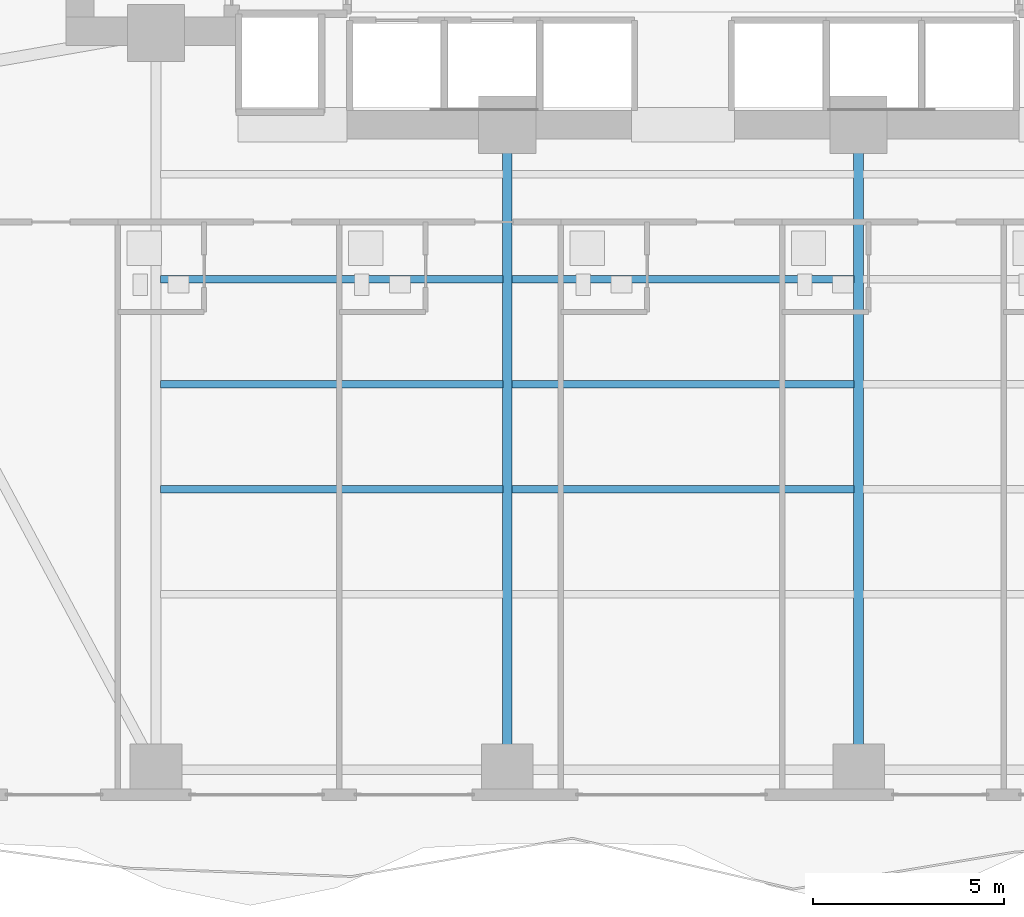
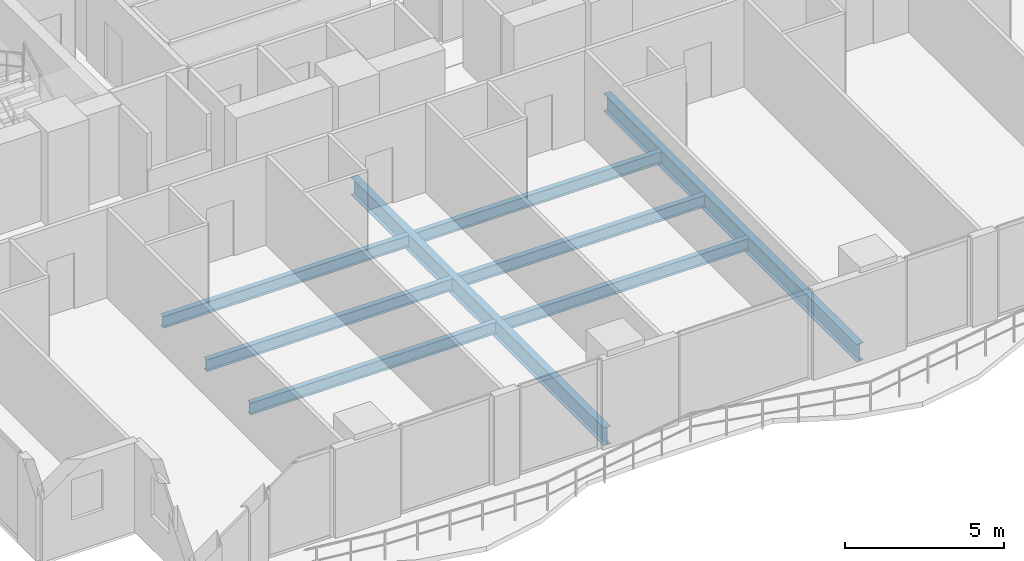
# One storey, part 6 of 29: 8 beams.
"""IFC4 building model written with IfcOpenShell, lengths in metres."""

from ifc_helpers import new_model, si_unit, direction, frame, origin, origin_2d, place, context, subcontext, project, spatial, i_section, extrude, material, material_profile, profile_set, type_object, element, save


model = new_model("IFC4")

# Units and contexts
model_context = context("Model", 3, precision=1e-05, world=origin(), true_north=direction((0.0, 1.0)))
body_context = subcontext(model_context, "Body", "Model", "MODEL_VIEW")
ifc_project = project(units=[si_unit("LENGTHUNIT", "METRE"), si_unit("AREAUNIT", "SQUARE_METRE"), si_unit("VOLUMEUNIT", "CUBIC_METRE"), si_unit("PLANEANGLEUNIT", "RADIAN"), si_unit("MASSUNIT", "GRAM", prefix="KILO")], contexts=[model_context])

# Site, building, storey
site_placement = place(None, origin())
site = spatial("IfcSite", under=ifc_project, at=site_placement, CompositionType="ELEMENT")
building_placement = place(site_placement, origin())
building = spatial("IfcBuilding", under=site, at=building_placement, Name="Zuhayl Quay Hotel", CompositionType="ELEMENT")
storey_placement = place(building_placement, frame((0.0, 0.0, 150.39990234375)))
storey = spatial("IfcBuildingStorey", under=building, at=storey_placement, Name="L38", CompositionType="ELEMENT", Elevation=150.39990234375)

# Beams
ifc_material = material(Name="Steel ASTM A992 Grade 50", Category="steel")
ifc_material_profile_1 = material_profile(ifc_material, i_section(OverallWidth=0.25390625, OverallDepth=0.68310546875, WebThickness=0.012451171875, FlangeThickness=0.018798828125, at=origin_2d()), Name="W27X94")
ifc_profile_set_1 = profile_set([ifc_material_profile_1], Name="Steel ASTM A992 Grade 50")
beam_type_1 = type_object("IfcBeamType", Name="BM_B2_W27X94", PredefinedType="BEAM", material=ifc_profile_set_1)
for number, where, z_axis, x_axis, name in (
    (1, (-4.60009765625, -14.25, -0.5615234375), (0.0, 1.0, 0.0), (-1.0, 0.0, 0.0), "L38 Floor Beam FG_S_L38_2"),
    (2, (4.60009765625, -14.25, -0.5615234375), (0.0, 1.0, 0.0), (-1.0, 0.0, 0.0), "L38 Floor Beam FG_S_L38_3"),
):
    element("IfcBeam", number, at=place(storey_placement, frame(where, z_axis=z_axis, x_axis=x_axis)), inside=storey, type_object=beam_type_1, Name=name, PredefinedType="BEAM", context=body_context, shape_type="SweptSolid", body=[
        extrude(i_section(OverallWidth=0.25390625, OverallDepth=0.68310546875, WebThickness=0.012451171875, FlangeThickness=0.018798828125, at=origin_2d()), origin(), (0.0, 0.0, 1.0), 15.949951171875),
    ])
ifc_material_profile_2 = material_profile(ifc_material, i_section(OverallWidth=0.18994140625, OverallDepth=0.45703125, WebThickness=0.009033203125, FlangeThickness=0.014404296875, at=origin_2d()), Name="W18X50")
ifc_profile_set_2 = profile_set([ifc_material_profile_2], Name="Steel ASTM A992 Grade 50")
beam_type_2 = type_object("IfcBeamType", Name="BM_J2_W18X50", PredefinedType="JOIST", material=ifc_profile_set_2)
for number, where, z_axis, x_axis, name in (
    (3, (-13.680908203125, -7.39990234375, -0.448486328125), (1.0, 0.0, 0.0), (0.0, 1.0, 0.0), "L38 Floor Beam FJ_L38_6_1"),
    (4, (-4.48095703125, -7.39990234375, -0.448486328125), (1.0, 0.0, 0.0), (0.0, 1.0, 0.0), "L38 Floor Beam FJ_L38_6_2"),
    (5, (-13.680908203125, -4.64990234375, -0.448486328125), (1.0, 0.0, 0.0), (0.0, 1.0, 0.0), "L38 Floor Beam FJ_L38_7_1"),
    (6, (-4.48095703125, -4.64990234375, -0.448486328125), (1.0, 0.0, 0.0), (0.0, 1.0, 0.0), "L38 Floor Beam FJ_L38_7_2"),
    (7, (-13.680908203125, -1.89990234375, -0.448486328125), (1.0, 0.0, 0.0), (0.0, 1.0, 0.0), "L38 Floor Beam FJ_L38_8_1"),
    (8, (-4.48095703125, -1.89990234375, -0.448486328125), (1.0, 0.0, 0.0), (0.0, 1.0, 0.0), "L38 Floor Beam FJ_L38_8_2"),
):
    element("IfcBeam", number, at=place(storey_placement, frame(where, z_axis=z_axis, x_axis=x_axis)), inside=storey, type_object=beam_type_2, Name=name, PredefinedType="JOIST", context=body_context, shape_type="SweptSolid", body=[
        extrude(i_section(OverallWidth=0.18994140625, OverallDepth=0.45703125, WebThickness=0.009033203125, FlangeThickness=0.014404296875, at=origin_2d()), origin(), (0.0, 0.0, 1.0), 8.9619140625),
    ])

save(model, "model.ifc")
